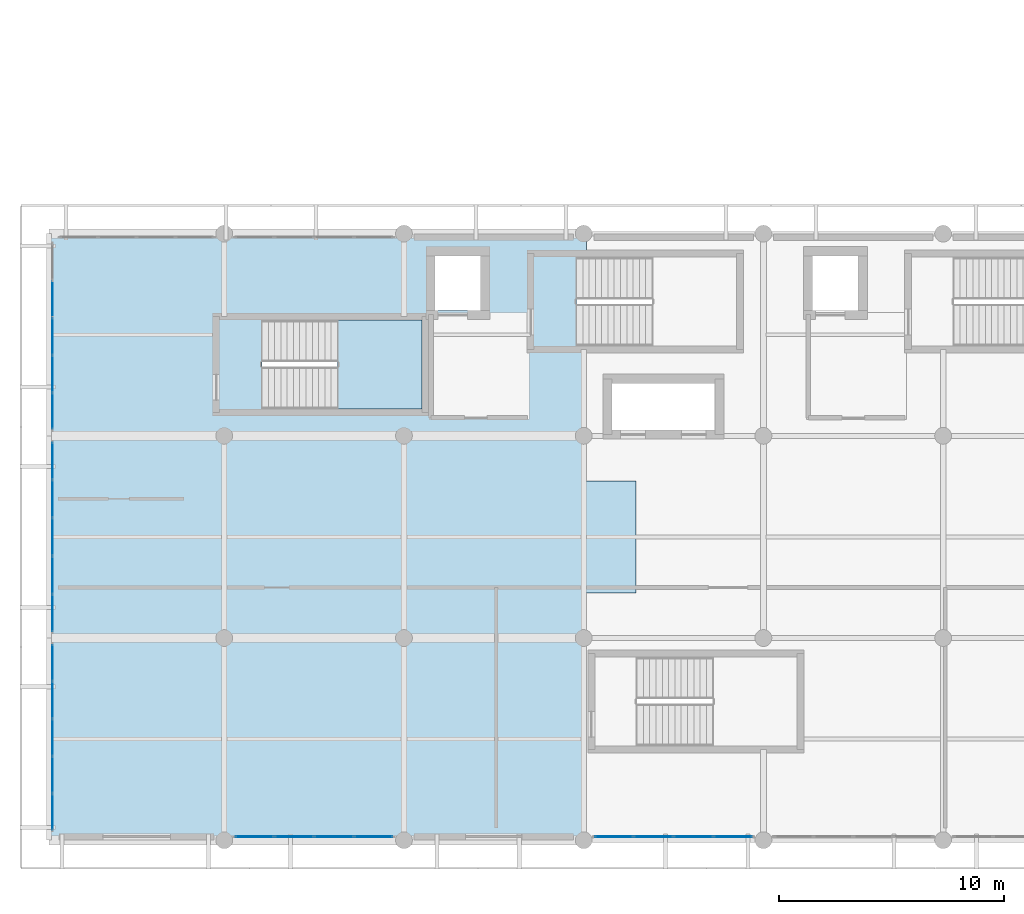
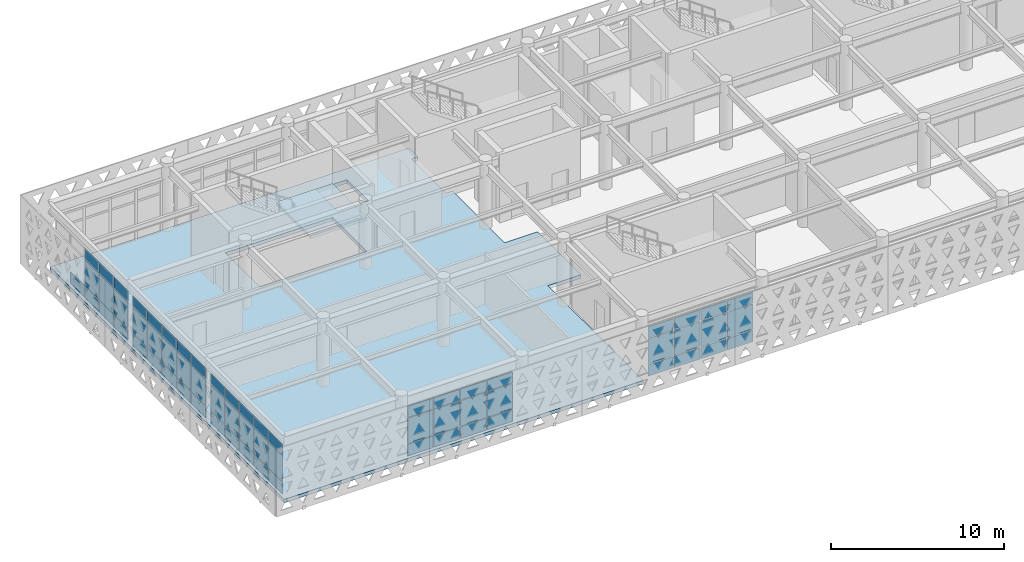
# One storey, part 16 of 33: 64 plates, 2 slabs, 6 elements without a shape of their own.
"""IFC4 building model written with IfcOpenShell, lengths in metres."""

from ifc_helpers import new_model, si_unit, direction, frame, origin, origin_2d, place, context, subcontext, project, spatial, polyline, rectangle, outline, extrude, material, layer, layer_set, type_object, element, aggregate, save


model = new_model("IFC4")

# Units and contexts
model_context = context("Model", 3, precision=1e-05, world=origin(), true_north=direction((0.0, 1.0)))
body_context = subcontext(model_context, "Body", "Model", "MODEL_VIEW")
ifc_project = project(units=[si_unit("LENGTHUNIT", "METRE"), si_unit("AREAUNIT", "SQUARE_METRE"), si_unit("VOLUMEUNIT", "CUBIC_METRE"), si_unit("PLANEANGLEUNIT", "RADIAN"), si_unit("MASSUNIT", "GRAM", prefix="KILO")], contexts=[model_context])

# Site, building, storey
site_placement = place(None, origin())
site = spatial("IfcSite", under=ifc_project, at=site_placement, CompositionType="ELEMENT")
building_placement = place(site_placement, origin())
building = spatial("IfcBuilding", under=site, at=building_placement, Name="Tlacozan Convention Centre", CompositionType="ELEMENT")
storey_placement = place(building_placement, frame((0.0, 0.0, 16.199951171875)))
storey = spatial("IfcBuildingStorey", under=building, at=storey_placement, Name="L03", CompositionType="ELEMENT", Elevation=16.199951171875)

# Curtain wall, plates
ifc_material_1 = material(Name="Dark Bronze Anodised Aluminium", Category="aluminium")
ifc_layer_1 = layer(ifc_material_1, 0.159912109375)
ifc_layer_set_1 = layer_set([ifc_layer_1], Name="Dark Bronze Anodised Aluminium")
curtain_wall_type_1 = type_object("IfcCurtainWallType", Name="Unitised Congress Gable End CW06", PredefinedType="NOTDEFINED", material=ifc_layer_set_1)
curtain_wall_1_placement = place(storey_placement, origin())
curtain_wall_1 = element("IfcCurtainWall", 1, at=curtain_wall_1_placement, inside=storey, type_object=curtain_wall_type_1, Name="L03 CW-06 Run 118", PredefinedType="NOTDEFINED")
ifc_material_2 = material(Name="Solar Control Double Low-E Argon Glazing", Category="glass")
ifc_layer_2 = layer(ifc_material_2, 0.02001953125)
ifc_layer_set_2 = layer_set([ifc_layer_2], Name="Solar Control Double Low-E Argon Glazing")
plate_type_1 = type_object("IfcPlateType", Name="Double Low-E Glazed CW Panel 20", PredefinedType="CURTAIN_PANEL", material=ifc_layer_set_2)
plate_1_placement = place(storey_placement, frame((0.360107421875, 1.259033203125, 0.06005859375), z_axis=(0.0, 0.0, 1.0), x_axis=(0.0, 1.0, 0.0)))
plate_1 = element("IfcPlate", 2, at=plate_1_placement, type_object=plate_type_1, Name="CW-06 panel 1.1", PredefinedType="CURTAIN_PANEL", context=body_context, shape_type="SweptSolid", body=[
    extrude(rectangle(XDim=1.577880859375, YDim=0.02001953125, at=origin_2d()), origin(), (0.0, 0.0, 1.0), 0.81005859375),
])
plate_2_placement = place(storey_placement, frame((0.360107421875, 1.259033203125, 0.929931640625), z_axis=(0.0, 0.0, 1.0), x_axis=(0.0, 1.0, 0.0)))
plate_2 = element("IfcPlate", 3, at=plate_2_placement, type_object=plate_type_1, Name="CW-06 panel 1.2", PredefinedType="CURTAIN_PANEL", context=body_context, shape_type="SweptSolid", body=[
    extrude(rectangle(XDim=1.577880859375, YDim=0.02001953125, at=origin_2d()), origin(), (0.0, 0.0, 1.0), 1.7900390625),
])
plate_3_placement = place(storey_placement, frame((0.360107421875, 1.259033203125, 2.7802734375), z_axis=(0.0, 0.0, 1.0), x_axis=(0.0, 1.0, 0.0)))
plate_3 = element("IfcPlate", 4, at=plate_3_placement, type_object=plate_type_1, Name="CW-06 panel 1.3", PredefinedType="CURTAIN_PANEL", context=body_context, shape_type="SweptSolid", body=[
    extrude(rectangle(XDim=1.577880859375, YDim=0.02001953125, at=origin_2d()), origin(), (0.0, 0.0, 1.0), 0.760009765625),
])
plate_4_placement = place(storey_placement, frame((0.360107421875, 2.912109375, 0.06005859375), z_axis=(0.0, 0.0, 1.0), x_axis=(0.0, 1.0, 0.0)))
plate_4 = element("IfcPlate", 5, at=plate_4_placement, type_object=plate_type_1, Name="CW-06 panel 2.1", PredefinedType="CURTAIN_PANEL", context=body_context, shape_type="SweptSolid", body=[
    extrude(rectangle(XDim=1.60791015625, YDim=0.02001953125, at=origin_2d()), origin(), (0.0, 0.0, 1.0), 0.81005859375),
])
plate_5_placement = place(storey_placement, frame((0.360107421875, 2.912109375, 0.929931640625), z_axis=(0.0, 0.0, 1.0), x_axis=(0.0, 1.0, 0.0)))
plate_5 = element("IfcPlate", 6, at=plate_5_placement, type_object=plate_type_1, Name="CW-06 panel 2.2", PredefinedType="CURTAIN_PANEL", context=body_context, shape_type="SweptSolid", body=[
    extrude(rectangle(XDim=1.60791015625, YDim=0.02001953125, at=origin_2d()), origin(), (0.0, 0.0, 1.0), 1.7900390625),
])
plate_6_placement = place(storey_placement, frame((0.360107421875, 2.912109375, 2.7802734375), z_axis=(0.0, 0.0, 1.0), x_axis=(0.0, 1.0, 0.0)))
plate_6 = element("IfcPlate", 7, at=plate_6_placement, type_object=plate_type_1, Name="CW-06 panel 2.3", PredefinedType="CURTAIN_PANEL", context=body_context, shape_type="SweptSolid", body=[
    extrude(rectangle(XDim=1.60791015625, YDim=0.02001953125, at=origin_2d()), origin(), (0.0, 0.0, 1.0), 0.760009765625),
])
plate_7_placement = place(storey_placement, frame((0.360107421875, 4.580078125, 0.06005859375), z_axis=(0.0, 0.0, 1.0), x_axis=(0.0, 1.0, 0.0)))
plate_7 = element("IfcPlate", 8, at=plate_7_placement, type_object=plate_type_1, Name="CW-06 panel 3.1", PredefinedType="CURTAIN_PANEL", context=body_context, shape_type="SweptSolid", body=[
    extrude(rectangle(XDim=1.60791015625, YDim=0.02001953125, at=origin_2d()), origin(), (0.0, 0.0, 1.0), 0.81005859375),
])
plate_8_placement = place(storey_placement, frame((0.360107421875, 4.580078125, 0.929931640625), z_axis=(0.0, 0.0, 1.0), x_axis=(0.0, 1.0, 0.0)))
plate_8 = element("IfcPlate", 9, at=plate_8_placement, type_object=plate_type_1, Name="CW-06 panel 3.2", PredefinedType="CURTAIN_PANEL", context=body_context, shape_type="SweptSolid", body=[
    extrude(rectangle(XDim=1.60791015625, YDim=0.02001953125, at=origin_2d()), origin(), (0.0, 0.0, 1.0), 1.7900390625),
])
plate_9_placement = place(storey_placement, frame((0.360107421875, 4.580078125, 2.7802734375), z_axis=(0.0, 0.0, 1.0), x_axis=(0.0, 1.0, 0.0)))
plate_9 = element("IfcPlate", 10, at=plate_9_placement, type_object=plate_type_1, Name="CW-06 panel 3.3", PredefinedType="CURTAIN_PANEL", context=body_context, shape_type="SweptSolid", body=[
    extrude(rectangle(XDim=1.60791015625, YDim=0.02001953125, at=origin_2d()), origin(), (0.0, 0.0, 1.0), 0.760009765625),
])
plate_10_placement = place(storey_placement, frame((0.360107421875, 6.248046875, 0.06005859375), z_axis=(0.0, 0.0, 1.0), x_axis=(0.0, 1.0, 0.0)))
plate_10 = element("IfcPlate", 11, at=plate_10_placement, type_object=plate_type_1, Name="CW-06 panel 4.1", PredefinedType="CURTAIN_PANEL", context=body_context, shape_type="SweptSolid", body=[
    extrude(rectangle(XDim=1.60791015625, YDim=0.02001953125, at=origin_2d()), origin(), (0.0, 0.0, 1.0), 0.81005859375),
])
plate_11_placement = place(storey_placement, frame((0.360107421875, 6.248046875, 0.929931640625), z_axis=(0.0, 0.0, 1.0), x_axis=(0.0, 1.0, 0.0)))
plate_11 = element("IfcPlate", 12, at=plate_11_placement, type_object=plate_type_1, Name="CW-06 panel 4.2", PredefinedType="CURTAIN_PANEL", context=body_context, shape_type="SweptSolid", body=[
    extrude(rectangle(XDim=1.60791015625, YDim=0.02001953125, at=origin_2d()), origin(), (0.0, 0.0, 1.0), 1.7900390625),
])
plate_12_placement = place(storey_placement, frame((0.360107421875, 6.248046875, 2.7802734375), z_axis=(0.0, 0.0, 1.0), x_axis=(0.0, 1.0, 0.0)))
plate_12 = element("IfcPlate", 13, at=plate_12_placement, type_object=plate_type_1, Name="CW-06 panel 4.3", PredefinedType="CURTAIN_PANEL", context=body_context, shape_type="SweptSolid", body=[
    extrude(rectangle(XDim=1.60791015625, YDim=0.02001953125, at=origin_2d()), origin(), (0.0, 0.0, 1.0), 0.760009765625),
])
plate_13_placement = place(storey_placement, frame((0.360107421875, 7.90087890625, 0.06005859375), z_axis=(0.0, 0.0, 1.0), x_axis=(0.0, 1.0, 0.0)))
plate_13 = element("IfcPlate", 14, at=plate_13_placement, type_object=plate_type_1, Name="CW-06 panel 5.1", PredefinedType="CURTAIN_PANEL", context=body_context, shape_type="SweptSolid", body=[
    extrude(rectangle(XDim=1.577880859375, YDim=0.02001953125, at=origin_2d()), origin(), (0.0, 0.0, 1.0), 0.81005859375),
])
plate_14_placement = place(storey_placement, frame((0.360107421875, 7.90087890625, 0.929931640625), z_axis=(0.0, 0.0, 1.0), x_axis=(0.0, 1.0, 0.0)))
plate_14 = element("IfcPlate", 15, at=plate_14_placement, type_object=plate_type_1, Name="CW-06 panel 5.2", PredefinedType="CURTAIN_PANEL", context=body_context, shape_type="SweptSolid", body=[
    extrude(rectangle(XDim=1.577880859375, YDim=0.02001953125, at=origin_2d()), origin(), (0.0, 0.0, 1.0), 1.7900390625),
])
plate_15_placement = place(storey_placement, frame((0.360107421875, 7.90087890625, 2.7802734375), z_axis=(0.0, 0.0, 1.0), x_axis=(0.0, 1.0, 0.0)))
plate_15 = element("IfcPlate", 16, at=plate_15_placement, type_object=plate_type_1, Name="CW-06 panel 5.3", PredefinedType="CURTAIN_PANEL", context=body_context, shape_type="SweptSolid", body=[
    extrude(rectangle(XDim=1.577880859375, YDim=0.02001953125, at=origin_2d()), origin(), (0.0, 0.0, 1.0), 0.760009765625),
])
aggregate(curtain_wall_1, [plate_1, plate_2, plate_3, plate_4, plate_5, plate_6, plate_7, plate_8, plate_9, plate_10, plate_11, plate_12, plate_13, plate_14, plate_15])

curtain_wall_2_placement = place(storey_placement, origin())
curtain_wall_2 = element("IfcCurtainWall", 17, at=curtain_wall_2_placement, inside=storey, type_object=curtain_wall_type_1, Name="L03 CW-06 Run 120", PredefinedType="NOTDEFINED")
plate_16_placement = place(storey_placement, frame((0.360107421875, 10.114990234375, 0.06005859375), z_axis=(0.0, 0.0, 1.0), x_axis=(0.0, 1.0, 0.0)))
plate_16 = element("IfcPlate", 18, at=plate_16_placement, type_object=plate_type_1, Name="CW-06 panel 1.1", PredefinedType="CURTAIN_PANEL", context=body_context, shape_type="SweptSolid", body=[
    extrude(rectangle(XDim=1.610107421875, YDim=0.02001953125, at=origin_2d()), origin(), (0.0, 0.0, 1.0), 0.81005859375),
])
plate_17_placement = place(storey_placement, frame((0.360107421875, 10.114990234375, 0.929931640625), z_axis=(0.0, 0.0, 1.0), x_axis=(0.0, 1.0, 0.0)))
plate_17 = element("IfcPlate", 19, at=plate_17_placement, type_object=plate_type_1, Name="CW-06 panel 1.2", PredefinedType="CURTAIN_PANEL", context=body_context, shape_type="SweptSolid", body=[
    extrude(rectangle(XDim=1.610107421875, YDim=0.02001953125, at=origin_2d()), origin(), (0.0, 0.0, 1.0), 1.7900390625),
])
plate_18_placement = place(storey_placement, frame((0.360107421875, 10.114990234375, 2.7802734375), z_axis=(0.0, 0.0, 1.0), x_axis=(0.0, 1.0, 0.0)))
plate_18 = element("IfcPlate", 20, at=plate_18_placement, type_object=plate_type_1, Name="CW-06 panel 1.3", PredefinedType="CURTAIN_PANEL", context=body_context, shape_type="SweptSolid", body=[
    extrude(rectangle(XDim=1.610107421875, YDim=0.02001953125, at=origin_2d()), origin(), (0.0, 0.0, 1.0), 0.760009765625),
])
plate_19_placement = place(storey_placement, frame((0.360107421875, 11.800048828125, 0.06005859375), z_axis=(0.0, 0.0, 1.0), x_axis=(0.0, 1.0, 0.0)))
plate_19 = element("IfcPlate", 21, at=plate_19_placement, type_object=plate_type_1, Name="CW-06 panel 2.1", PredefinedType="CURTAIN_PANEL", context=body_context, shape_type="SweptSolid", body=[
    extrude(rectangle(XDim=1.639892578125, YDim=0.02001953125, at=origin_2d()), origin(), (0.0, 0.0, 1.0), 0.81005859375),
])
plate_20_placement = place(storey_placement, frame((0.360107421875, 11.800048828125, 0.929931640625), z_axis=(0.0, 0.0, 1.0), x_axis=(0.0, 1.0, 0.0)))
plate_20 = element("IfcPlate", 22, at=plate_20_placement, type_object=plate_type_1, Name="CW-06 panel 2.2", PredefinedType="CURTAIN_PANEL", context=body_context, shape_type="SweptSolid", body=[
    extrude(rectangle(XDim=1.639892578125, YDim=0.02001953125, at=origin_2d()), origin(), (0.0, 0.0, 1.0), 1.7900390625),
])
plate_21_placement = place(storey_placement, frame((0.360107421875, 11.800048828125, 2.7802734375), z_axis=(0.0, 0.0, 1.0), x_axis=(0.0, 1.0, 0.0)))
plate_21 = element("IfcPlate", 23, at=plate_21_placement, type_object=plate_type_1, Name="CW-06 panel 2.3", PredefinedType="CURTAIN_PANEL", context=body_context, shape_type="SweptSolid", body=[
    extrude(rectangle(XDim=1.639892578125, YDim=0.02001953125, at=origin_2d()), origin(), (0.0, 0.0, 1.0), 0.760009765625),
])
plate_22_placement = place(storey_placement, frame((0.360107421875, 13.5, 0.06005859375), z_axis=(0.0, 0.0, 1.0), x_axis=(0.0, 1.0, 0.0)))
plate_22 = element("IfcPlate", 24, at=plate_22_placement, type_object=plate_type_1, Name="CW-06 panel 3.1", PredefinedType="CURTAIN_PANEL", context=body_context, shape_type="SweptSolid", body=[
    extrude(rectangle(XDim=1.639892578125, YDim=0.02001953125, at=origin_2d()), origin(), (0.0, 0.0, 1.0), 0.81005859375),
])
plate_23_placement = place(storey_placement, frame((0.360107421875, 13.5, 0.929931640625), z_axis=(0.0, 0.0, 1.0), x_axis=(0.0, 1.0, 0.0)))
plate_23 = element("IfcPlate", 25, at=plate_23_placement, type_object=plate_type_1, Name="CW-06 panel 3.2", PredefinedType="CURTAIN_PANEL", context=body_context, shape_type="SweptSolid", body=[
    extrude(rectangle(XDim=1.639892578125, YDim=0.02001953125, at=origin_2d()), origin(), (0.0, 0.0, 1.0), 1.7900390625),
])
plate_24_placement = place(storey_placement, frame((0.360107421875, 13.5, 2.7802734375), z_axis=(0.0, 0.0, 1.0), x_axis=(0.0, 1.0, 0.0)))
plate_24 = element("IfcPlate", 26, at=plate_24_placement, type_object=plate_type_1, Name="CW-06 panel 3.3", PredefinedType="CURTAIN_PANEL", context=body_context, shape_type="SweptSolid", body=[
    extrude(rectangle(XDim=1.639892578125, YDim=0.02001953125, at=origin_2d()), origin(), (0.0, 0.0, 1.0), 0.760009765625),
])
plate_25_placement = place(storey_placement, frame((0.360107421875, 15.199951171875, 0.06005859375), z_axis=(0.0, 0.0, 1.0), x_axis=(0.0, 1.0, 0.0)))
plate_25 = element("IfcPlate", 27, at=plate_25_placement, type_object=plate_type_1, Name="CW-06 panel 4.1", PredefinedType="CURTAIN_PANEL", context=body_context, shape_type="SweptSolid", body=[
    extrude(rectangle(XDim=1.639892578125, YDim=0.02001953125, at=origin_2d()), origin(), (0.0, 0.0, 1.0), 0.81005859375),
])
plate_26_placement = place(storey_placement, frame((0.360107421875, 15.199951171875, 0.929931640625), z_axis=(0.0, 0.0, 1.0), x_axis=(0.0, 1.0, 0.0)))
plate_26 = element("IfcPlate", 28, at=plate_26_placement, type_object=plate_type_1, Name="CW-06 panel 4.2", PredefinedType="CURTAIN_PANEL", context=body_context, shape_type="SweptSolid", body=[
    extrude(rectangle(XDim=1.639892578125, YDim=0.02001953125, at=origin_2d()), origin(), (0.0, 0.0, 1.0), 1.7900390625),
])
plate_27_placement = place(storey_placement, frame((0.360107421875, 15.199951171875, 2.7802734375), z_axis=(0.0, 0.0, 1.0), x_axis=(0.0, 1.0, 0.0)))
plate_27 = element("IfcPlate", 29, at=plate_27_placement, type_object=plate_type_1, Name="CW-06 panel 4.3", PredefinedType="CURTAIN_PANEL", context=body_context, shape_type="SweptSolid", body=[
    extrude(rectangle(XDim=1.639892578125, YDim=0.02001953125, at=origin_2d()), origin(), (0.0, 0.0, 1.0), 0.760009765625),
])
plate_28_placement = place(storey_placement, frame((0.360107421875, 16.885009765625, 0.06005859375), z_axis=(0.0, 0.0, 1.0), x_axis=(0.0, 1.0, 0.0)))
plate_28 = element("IfcPlate", 30, at=plate_28_placement, type_object=plate_type_1, Name="CW-06 panel 5.1", PredefinedType="CURTAIN_PANEL", context=body_context, shape_type="SweptSolid", body=[
    extrude(rectangle(XDim=1.610107421875, YDim=0.02001953125, at=origin_2d()), origin(), (0.0, 0.0, 1.0), 0.81005859375),
])
plate_29_placement = place(storey_placement, frame((0.360107421875, 16.885009765625, 0.929931640625), z_axis=(0.0, 0.0, 1.0), x_axis=(0.0, 1.0, 0.0)))
plate_29 = element("IfcPlate", 31, at=plate_29_placement, type_object=plate_type_1, Name="CW-06 panel 5.2", PredefinedType="CURTAIN_PANEL", context=body_context, shape_type="SweptSolid", body=[
    extrude(rectangle(XDim=1.610107421875, YDim=0.02001953125, at=origin_2d()), origin(), (0.0, 0.0, 1.0), 1.7900390625),
])
plate_30_placement = place(storey_placement, frame((0.360107421875, 16.885009765625, 2.7802734375), z_axis=(0.0, 0.0, 1.0), x_axis=(0.0, 1.0, 0.0)))
plate_30 = element("IfcPlate", 32, at=plate_30_placement, type_object=plate_type_1, Name="CW-06 panel 5.3", PredefinedType="CURTAIN_PANEL", context=body_context, shape_type="SweptSolid", body=[
    extrude(rectangle(XDim=1.610107421875, YDim=0.02001953125, at=origin_2d()), origin(), (0.0, 0.0, 1.0), 0.760009765625),
])
aggregate(curtain_wall_2, [plate_16, plate_17, plate_18, plate_19, plate_20, plate_21, plate_22, plate_23, plate_24, plate_25, plate_26, plate_27, plate_28, plate_29, plate_30])

curtain_wall_3_placement = place(storey_placement, origin())
curtain_wall_3 = element("IfcCurtainWall", 33, at=curtain_wall_3_placement, inside=storey, type_object=curtain_wall_type_1, Name="L03 CW-06 Run 122", PredefinedType="NOTDEFINED")
plate_31_placement = place(storey_placement, frame((0.360107421875, 19.09912109375, 0.06005859375), z_axis=(0.0, 0.0, 1.0), x_axis=(0.0, 1.0, 0.0)))
plate_31 = element("IfcPlate", 34, at=plate_31_placement, type_object=plate_type_1, Name="CW-06 panel 1.1", PredefinedType="CURTAIN_PANEL", context=body_context, shape_type="SweptSolid", body=[
    extrude(rectangle(XDim=1.577880859375, YDim=0.02001953125, at=origin_2d()), origin(), (0.0, 0.0, 1.0), 0.81005859375),
])
plate_32_placement = place(storey_placement, frame((0.360107421875, 19.09912109375, 0.929931640625), z_axis=(0.0, 0.0, 1.0), x_axis=(0.0, 1.0, 0.0)))
plate_32 = element("IfcPlate", 35, at=plate_32_placement, type_object=plate_type_1, Name="CW-06 panel 1.2", PredefinedType="CURTAIN_PANEL", context=body_context, shape_type="SweptSolid", body=[
    extrude(rectangle(XDim=1.577880859375, YDim=0.02001953125, at=origin_2d()), origin(), (0.0, 0.0, 1.0), 1.7900390625),
])
plate_33_placement = place(storey_placement, frame((0.360107421875, 19.09912109375, 2.7802734375), z_axis=(0.0, 0.0, 1.0), x_axis=(0.0, 1.0, 0.0)))
plate_33 = element("IfcPlate", 36, at=plate_33_placement, type_object=plate_type_1, Name="CW-06 panel 1.3", PredefinedType="CURTAIN_PANEL", context=body_context, shape_type="SweptSolid", body=[
    extrude(rectangle(XDim=1.577880859375, YDim=0.02001953125, at=origin_2d()), origin(), (0.0, 0.0, 1.0), 0.760009765625),
])
plate_34_placement = place(storey_placement, frame((0.360107421875, 20.751953125, 0.06005859375), z_axis=(0.0, 0.0, 1.0), x_axis=(0.0, 1.0, 0.0)))
plate_34 = element("IfcPlate", 37, at=plate_34_placement, type_object=plate_type_1, Name="CW-06 panel 2.1", PredefinedType="CURTAIN_PANEL", context=body_context, shape_type="SweptSolid", body=[
    extrude(rectangle(XDim=1.60791015625, YDim=0.02001953125, at=origin_2d()), origin(), (0.0, 0.0, 1.0), 0.81005859375),
])
plate_35_placement = place(storey_placement, frame((0.360107421875, 20.751953125, 0.929931640625), z_axis=(0.0, 0.0, 1.0), x_axis=(0.0, 1.0, 0.0)))
plate_35 = element("IfcPlate", 38, at=plate_35_placement, type_object=plate_type_1, Name="CW-06 panel 2.2", PredefinedType="CURTAIN_PANEL", context=body_context, shape_type="SweptSolid", body=[
    extrude(rectangle(XDim=1.60791015625, YDim=0.02001953125, at=origin_2d()), origin(), (0.0, 0.0, 1.0), 1.7900390625),
])
plate_36_placement = place(storey_placement, frame((0.360107421875, 20.751953125, 2.7802734375), z_axis=(0.0, 0.0, 1.0), x_axis=(0.0, 1.0, 0.0)))
plate_36 = element("IfcPlate", 39, at=plate_36_placement, type_object=plate_type_1, Name="CW-06 panel 2.3", PredefinedType="CURTAIN_PANEL", context=body_context, shape_type="SweptSolid", body=[
    extrude(rectangle(XDim=1.60791015625, YDim=0.02001953125, at=origin_2d()), origin(), (0.0, 0.0, 1.0), 0.760009765625),
])
plate_37_placement = place(storey_placement, frame((0.360107421875, 22.419921875, 0.06005859375), z_axis=(0.0, 0.0, 1.0), x_axis=(0.0, 1.0, 0.0)))
plate_37 = element("IfcPlate", 40, at=plate_37_placement, type_object=plate_type_1, Name="CW-06 panel 3.1", PredefinedType="CURTAIN_PANEL", context=body_context, shape_type="SweptSolid", body=[
    extrude(rectangle(XDim=1.60791015625, YDim=0.02001953125, at=origin_2d()), origin(), (0.0, 0.0, 1.0), 0.81005859375),
])
plate_38_placement = place(storey_placement, frame((0.360107421875, 22.419921875, 0.929931640625), z_axis=(0.0, 0.0, 1.0), x_axis=(0.0, 1.0, 0.0)))
plate_38 = element("IfcPlate", 41, at=plate_38_placement, type_object=plate_type_1, Name="CW-06 panel 3.2", PredefinedType="CURTAIN_PANEL", context=body_context, shape_type="SweptSolid", body=[
    extrude(rectangle(XDim=1.60791015625, YDim=0.02001953125, at=origin_2d()), origin(), (0.0, 0.0, 1.0), 1.7900390625),
])
plate_39_placement = place(storey_placement, frame((0.360107421875, 22.419921875, 2.7802734375), z_axis=(0.0, 0.0, 1.0), x_axis=(0.0, 1.0, 0.0)))
plate_39 = element("IfcPlate", 42, at=plate_39_placement, type_object=plate_type_1, Name="CW-06 panel 3.3", PredefinedType="CURTAIN_PANEL", context=body_context, shape_type="SweptSolid", body=[
    extrude(rectangle(XDim=1.60791015625, YDim=0.02001953125, at=origin_2d()), origin(), (0.0, 0.0, 1.0), 0.760009765625),
])
plate_40_placement = place(storey_placement, frame((0.360107421875, 24.087890625, 0.06005859375), z_axis=(0.0, 0.0, 1.0), x_axis=(0.0, 1.0, 0.0)))
plate_40 = element("IfcPlate", 43, at=plate_40_placement, type_object=plate_type_1, Name="CW-06 panel 4.1", PredefinedType="CURTAIN_PANEL", context=body_context, shape_type="SweptSolid", body=[
    extrude(rectangle(XDim=1.60791015625, YDim=0.02001953125, at=origin_2d()), origin(), (0.0, 0.0, 1.0), 0.81005859375),
])
aggregate(curtain_wall_3, [plate_31, plate_32, plate_33, plate_34, plate_35, plate_36, plate_37, plate_38, plate_39, plate_40])

# Slab
ifc_material_3 = material(Name="Concrete C40/50", Category="concrete")
ifc_layer_3 = layer(ifc_material_3, 0.25)
ifc_layer_set_3 = layer_set([ifc_layer_3], Name="Concrete C40/50")
slab_type_1 = type_object("IfcSlabType", Name="Executive Congress Floor Slab 250", PredefinedType="FLOOR", material=ifc_layer_set_3)
slab_1_placement = place(storey_placement, frame((0.0, 0.0, -0.25)))
element("IfcSlab", 44, at=slab_1_placement, inside=storey, type_object=slab_type_1, Name="L03 Executive Congress Floor Slab 250 78", PredefinedType="FLOOR", context=body_context, shape_type="SweptSolid", body=[
    extrude(outline(polyline([(0.199951171875, 0.0), (0.199951171875, 27.0), (24.1201171875, 27.0), (24.1201171875, 25.9599609375), (23.679931640625, 25.9599609375), (23.679931640625, 22.0), (24.1201171875, 22.0), (24.1201171875, 16.0), (26.320068359375, 16.0), (26.320068359375, 11.0), (24.1201171875, 11.0), (24.1201171875, 0.0), (0.199951171875, 0.0)]), holes=[polyline([(16.800048828125, 19.199951171875), (16.800048828125, 23.159912109375), (9.679931640625, 23.159912109375), (9.679931640625, 19.199951171875), (16.800048828125, 19.199951171875)]), polyline([(19.419921875, 26.02001953125), (17.3798828125, 26.02001953125), (17.3798828125, 23.580078125), (19.419921875, 23.580078125), (19.419921875, 26.02001953125)])]), origin(), (0.0, 0.0, 1.0), 0.25),
])

# Curtain wall, plates
ifc_layer_4 = layer(ifc_material_1, 0.159912109375)
ifc_layer_set_4 = layer_set([ifc_layer_4], Name="Dark Bronze Anodised Aluminium")
curtain_wall_type_2 = type_object("IfcCurtainWallType", Name="Unitised Congress L03 South CW04", PredefinedType="NOTDEFINED", material=ifc_layer_set_4)
curtain_wall_4_placement = place(storey_placement, origin())
curtain_wall_4 = element("IfcCurtainWall", 45, at=curtain_wall_4_placement, inside=storey, type_object=curtain_wall_type_2, Name="L03 CW-04 Run 102", PredefinedType="NOTDEFINED")
ifc_layer_5 = layer(ifc_material_2, 0.0400390625)
ifc_layer_set_5 = layer_set([ifc_layer_5], Name="Solar Control Double Low-E Argon Glazing")
plate_type_2 = type_object("IfcPlateType", Name="Insulated Spandrel CW Panel 40", PredefinedType="CURTAIN_PANEL", material=ifc_layer_set_5)
plate_41_placement = place(storey_placement, frame((9.353759765625, 0.159912109375, 0.06494140625), z_axis=(0.0, 0.0, 1.0), x_axis=(1.0, 0.0, 0.0)))
plate_41 = element("IfcPlate", 46, at=plate_41_placement, type_object=plate_type_2, Name="CW-04 panel 1.1", PredefinedType="CURTAIN_PANEL", context=body_context, shape_type="SweptSolid", body=[
    extrude(rectangle(XDim=1.677490234375, YDim=0.0400390625, at=origin_2d()), origin(), (0.0, 0.0, 1.0), 0.802490234375),
])
plate_42_placement = place(storey_placement, frame((9.353759765625, 0.159912109375, 0.9326171875), z_axis=(0.0, 0.0, 1.0), x_axis=(1.0, 0.0, 0.0)))
plate_42 = element("IfcPlate", 47, at=plate_42_placement, type_object=plate_type_2, Name="CW-04 panel 1.2", PredefinedType="CURTAIN_PANEL", context=body_context, shape_type="SweptSolid", body=[
    extrude(rectangle(XDim=1.677490234375, YDim=0.0400390625, at=origin_2d()), origin(), (0.0, 0.0, 1.0), 1.784912109375),
])
plate_43_placement = place(storey_placement, frame((9.353759765625, 0.159912109375, 2.782470703125), z_axis=(0.0, 0.0, 1.0), x_axis=(1.0, 0.0, 0.0)))
plate_43 = element("IfcPlate", 48, at=plate_43_placement, type_object=plate_type_2, Name="CW-04 panel 1.3", PredefinedType="CURTAIN_PANEL", context=body_context, shape_type="SweptSolid", body=[
    extrude(rectangle(XDim=1.677490234375, YDim=0.0400390625, at=origin_2d()), origin(), (0.0, 0.0, 1.0), 0.75244140625),
])
plate_44_placement = place(storey_placement, frame((11.112548828125, 0.159912109375, 0.06494140625), z_axis=(0.0, 0.0, 1.0), x_axis=(1.0, 0.0, 0.0)))
plate_44 = element("IfcPlate", 49, at=plate_44_placement, type_object=plate_type_2, Name="CW-04 panel 2.1", PredefinedType="CURTAIN_PANEL", context=body_context, shape_type="SweptSolid", body=[
    extrude(rectangle(XDim=1.7099609375, YDim=0.0400390625, at=origin_2d()), origin(), (0.0, 0.0, 1.0), 0.802490234375),
])
plate_45_placement = place(storey_placement, frame((11.112548828125, 0.159912109375, 0.9326171875), z_axis=(0.0, 0.0, 1.0), x_axis=(1.0, 0.0, 0.0)))
plate_45 = element("IfcPlate", 50, at=plate_45_placement, type_object=plate_type_2, Name="CW-04 panel 2.2", PredefinedType="CURTAIN_PANEL", context=body_context, shape_type="SweptSolid", body=[
    extrude(rectangle(XDim=1.7099609375, YDim=0.0400390625, at=origin_2d()), origin(), (0.0, 0.0, 1.0), 1.784912109375),
])
plate_46_placement = place(storey_placement, frame((11.112548828125, 0.159912109375, 2.782470703125), z_axis=(0.0, 0.0, 1.0), x_axis=(1.0, 0.0, 0.0)))
plate_46 = element("IfcPlate", 51, at=plate_46_placement, type_object=plate_type_2, Name="CW-04 panel 2.3", PredefinedType="CURTAIN_PANEL", context=body_context, shape_type="SweptSolid", body=[
    extrude(rectangle(XDim=1.7099609375, YDim=0.0400390625, at=origin_2d()), origin(), (0.0, 0.0, 1.0), 0.75244140625),
])
plate_47_placement = place(storey_placement, frame((12.887451171875, 0.159912109375, 0.06494140625), z_axis=(0.0, 0.0, 1.0), x_axis=(1.0, 0.0, 0.0)))
plate_47 = element("IfcPlate", 52, at=plate_47_placement, type_object=plate_type_2, Name="CW-04 panel 3.1", PredefinedType="CURTAIN_PANEL", context=body_context, shape_type="SweptSolid", body=[
    extrude(rectangle(XDim=1.7099609375, YDim=0.0400390625, at=origin_2d()), origin(), (0.0, 0.0, 1.0), 0.802490234375),
])
plate_48_placement = place(storey_placement, frame((12.887451171875, 0.159912109375, 0.9326171875), z_axis=(0.0, 0.0, 1.0), x_axis=(1.0, 0.0, 0.0)))
plate_48 = element("IfcPlate", 53, at=plate_48_placement, type_object=plate_type_2, Name="CW-04 panel 3.2", PredefinedType="CURTAIN_PANEL", context=body_context, shape_type="SweptSolid", body=[
    extrude(rectangle(XDim=1.7099609375, YDim=0.0400390625, at=origin_2d()), origin(), (0.0, 0.0, 1.0), 1.784912109375),
])
plate_49_placement = place(storey_placement, frame((12.887451171875, 0.159912109375, 2.782470703125), z_axis=(0.0, 0.0, 1.0), x_axis=(1.0, 0.0, 0.0)))
plate_49 = element("IfcPlate", 54, at=plate_49_placement, type_object=plate_type_2, Name="CW-04 panel 3.3", PredefinedType="CURTAIN_PANEL", context=body_context, shape_type="SweptSolid", body=[
    extrude(rectangle(XDim=1.7099609375, YDim=0.0400390625, at=origin_2d()), origin(), (0.0, 0.0, 1.0), 0.75244140625),
])
plate_50_placement = place(storey_placement, frame((14.646240234375, 0.159912109375, 0.06494140625), z_axis=(0.0, 0.0, 1.0), x_axis=(1.0, 0.0, 0.0)))
plate_50 = element("IfcPlate", 55, at=plate_50_placement, type_object=plate_type_2, Name="CW-04 panel 4.1", PredefinedType="CURTAIN_PANEL", context=body_context, shape_type="SweptSolid", body=[
    extrude(rectangle(XDim=1.677490234375, YDim=0.0400390625, at=origin_2d()), origin(), (0.0, 0.0, 1.0), 0.802490234375),
])
plate_51_placement = place(storey_placement, frame((14.646240234375, 0.159912109375, 0.9326171875), z_axis=(0.0, 0.0, 1.0), x_axis=(1.0, 0.0, 0.0)))
plate_51 = element("IfcPlate", 56, at=plate_51_placement, type_object=plate_type_2, Name="CW-04 panel 4.2", PredefinedType="CURTAIN_PANEL", context=body_context, shape_type="SweptSolid", body=[
    extrude(rectangle(XDim=1.677490234375, YDim=0.0400390625, at=origin_2d()), origin(), (0.0, 0.0, 1.0), 1.784912109375),
])
plate_52_placement = place(storey_placement, frame((14.646240234375, 0.159912109375, 2.782470703125), z_axis=(0.0, 0.0, 1.0), x_axis=(1.0, 0.0, 0.0)))
plate_52 = element("IfcPlate", 57, at=plate_52_placement, type_object=plate_type_2, Name="CW-04 panel 4.3", PredefinedType="CURTAIN_PANEL", context=body_context, shape_type="SweptSolid", body=[
    extrude(rectangle(XDim=1.677490234375, YDim=0.0400390625, at=origin_2d()), origin(), (0.0, 0.0, 1.0), 0.75244140625),
])
aggregate(curtain_wall_4, [plate_41, plate_42, plate_43, plate_44, plate_45, plate_46, plate_47, plate_48, plate_49, plate_50, plate_51, plate_52])

curtain_wall_5_placement = place(storey_placement, origin())
curtain_wall_5 = element("IfcCurtainWall", 58, at=curtain_wall_5_placement, inside=storey, type_object=curtain_wall_type_2, Name="L03 CW-04 Run 103", PredefinedType="NOTDEFINED")
plate_53_placement = place(storey_placement, frame((25.353759765625, 0.159912109375, 0.06494140625), z_axis=(0.0, 0.0, 1.0), x_axis=(1.0, 0.0, 0.0)))
plate_53 = element("IfcPlate", 59, at=plate_53_placement, type_object=plate_type_2, Name="CW-04 panel 1.1", PredefinedType="CURTAIN_PANEL", context=body_context, shape_type="SweptSolid", body=[
    extrude(rectangle(XDim=1.677490234375, YDim=0.0400390625, at=origin_2d()), origin(), (0.0, 0.0, 1.0), 0.802490234375),
])
plate_54_placement = place(storey_placement, frame((25.353759765625, 0.159912109375, 0.9326171875), z_axis=(0.0, 0.0, 1.0), x_axis=(1.0, 0.0, 0.0)))
plate_54 = element("IfcPlate", 60, at=plate_54_placement, type_object=plate_type_2, Name="CW-04 panel 1.2", PredefinedType="CURTAIN_PANEL", context=body_context, shape_type="SweptSolid", body=[
    extrude(rectangle(XDim=1.677490234375, YDim=0.0400390625, at=origin_2d()), origin(), (0.0, 0.0, 1.0), 1.784912109375),
])
plate_55_placement = place(storey_placement, frame((25.353759765625, 0.159912109375, 2.782470703125), z_axis=(0.0, 0.0, 1.0), x_axis=(1.0, 0.0, 0.0)))
plate_55 = element("IfcPlate", 61, at=plate_55_placement, type_object=plate_type_2, Name="CW-04 panel 1.3", PredefinedType="CURTAIN_PANEL", context=body_context, shape_type="SweptSolid", body=[
    extrude(rectangle(XDim=1.677490234375, YDim=0.0400390625, at=origin_2d()), origin(), (0.0, 0.0, 1.0), 0.75244140625),
])
plate_56_placement = place(storey_placement, frame((27.112548828125, 0.159912109375, 0.06494140625), z_axis=(0.0, 0.0, 1.0), x_axis=(1.0, 0.0, 0.0)))
plate_56 = element("IfcPlate", 62, at=plate_56_placement, type_object=plate_type_2, Name="CW-04 panel 2.1", PredefinedType="CURTAIN_PANEL", context=body_context, shape_type="SweptSolid", body=[
    extrude(rectangle(XDim=1.7099609375, YDim=0.0400390625, at=origin_2d()), origin(), (0.0, 0.0, 1.0), 0.802490234375),
])
plate_57_placement = place(storey_placement, frame((27.112548828125, 0.159912109375, 0.9326171875), z_axis=(0.0, 0.0, 1.0), x_axis=(1.0, 0.0, 0.0)))
plate_57 = element("IfcPlate", 63, at=plate_57_placement, type_object=plate_type_2, Name="CW-04 panel 2.2", PredefinedType="CURTAIN_PANEL", context=body_context, shape_type="SweptSolid", body=[
    extrude(rectangle(XDim=1.7099609375, YDim=0.0400390625, at=origin_2d()), origin(), (0.0, 0.0, 1.0), 1.784912109375),
])
plate_58_placement = place(storey_placement, frame((27.112548828125, 0.159912109375, 2.782470703125), z_axis=(0.0, 0.0, 1.0), x_axis=(1.0, 0.0, 0.0)))
plate_58 = element("IfcPlate", 64, at=plate_58_placement, type_object=plate_type_2, Name="CW-04 panel 2.3", PredefinedType="CURTAIN_PANEL", context=body_context, shape_type="SweptSolid", body=[
    extrude(rectangle(XDim=1.7099609375, YDim=0.0400390625, at=origin_2d()), origin(), (0.0, 0.0, 1.0), 0.75244140625),
])
plate_59_placement = place(storey_placement, frame((28.887451171875, 0.159912109375, 0.06494140625), z_axis=(0.0, 0.0, 1.0), x_axis=(1.0, 0.0, 0.0)))
plate_59 = element("IfcPlate", 65, at=plate_59_placement, type_object=plate_type_2, Name="CW-04 panel 3.1", PredefinedType="CURTAIN_PANEL", context=body_context, shape_type="SweptSolid", body=[
    extrude(rectangle(XDim=1.7099609375, YDim=0.0400390625, at=origin_2d()), origin(), (0.0, 0.0, 1.0), 0.802490234375),
])
plate_60_placement = place(storey_placement, frame((28.887451171875, 0.159912109375, 0.9326171875), z_axis=(0.0, 0.0, 1.0), x_axis=(1.0, 0.0, 0.0)))
plate_60 = element("IfcPlate", 66, at=plate_60_placement, type_object=plate_type_2, Name="CW-04 panel 3.2", PredefinedType="CURTAIN_PANEL", context=body_context, shape_type="SweptSolid", body=[
    extrude(rectangle(XDim=1.7099609375, YDim=0.0400390625, at=origin_2d()), origin(), (0.0, 0.0, 1.0), 1.784912109375),
])
plate_61_placement = place(storey_placement, frame((28.887451171875, 0.159912109375, 2.782470703125), z_axis=(0.0, 0.0, 1.0), x_axis=(1.0, 0.0, 0.0)))
plate_61 = element("IfcPlate", 67, at=plate_61_placement, type_object=plate_type_2, Name="CW-04 panel 3.3", PredefinedType="CURTAIN_PANEL", context=body_context, shape_type="SweptSolid", body=[
    extrude(rectangle(XDim=1.7099609375, YDim=0.0400390625, at=origin_2d()), origin(), (0.0, 0.0, 1.0), 0.75244140625),
])
plate_62_placement = place(storey_placement, frame((30.646240234375, 0.159912109375, 0.06494140625), z_axis=(0.0, 0.0, 1.0), x_axis=(1.0, 0.0, 0.0)))
plate_62 = element("IfcPlate", 68, at=plate_62_placement, type_object=plate_type_2, Name="CW-04 panel 4.1", PredefinedType="CURTAIN_PANEL", context=body_context, shape_type="SweptSolid", body=[
    extrude(rectangle(XDim=1.677490234375, YDim=0.0400390625, at=origin_2d()), origin(), (0.0, 0.0, 1.0), 0.802490234375),
])
plate_63_placement = place(storey_placement, frame((30.646240234375, 0.159912109375, 0.9326171875), z_axis=(0.0, 0.0, 1.0), x_axis=(1.0, 0.0, 0.0)))
plate_63 = element("IfcPlate", 69, at=plate_63_placement, type_object=plate_type_2, Name="CW-04 panel 4.2", PredefinedType="CURTAIN_PANEL", context=body_context, shape_type="SweptSolid", body=[
    extrude(rectangle(XDim=1.677490234375, YDim=0.0400390625, at=origin_2d()), origin(), (0.0, 0.0, 1.0), 1.784912109375),
])
plate_64_placement = place(storey_placement, frame((30.646240234375, 0.159912109375, 2.782470703125), z_axis=(0.0, 0.0, 1.0), x_axis=(1.0, 0.0, 0.0)))
plate_64 = element("IfcPlate", 70, at=plate_64_placement, type_object=plate_type_2, Name="CW-04 panel 4.3", PredefinedType="CURTAIN_PANEL", context=body_context, shape_type="SweptSolid", body=[
    extrude(rectangle(XDim=1.677490234375, YDim=0.0400390625, at=origin_2d()), origin(), (0.0, 0.0, 1.0), 0.75244140625),
])
aggregate(curtain_wall_5, [plate_53, plate_54, plate_55, plate_56, plate_57, plate_58, plate_59, plate_60, plate_61, plate_62, plate_63, plate_64])

# Stair, slab
stair_type = type_object("IfcStairType", Name="Protected Dogleg Stair W188 H48", PredefinedType="HALF_TURN_STAIR", material=ifc_material_3)
stair_placement = place(storey_placement, origin())
stair = element("IfcStair", 71, at=stair_placement, inside=storey, type_object=stair_type, Name="L03 West Belvedere Congress Stair", PredefinedType="HALF_TURN_STAIR")
ifc_layer_6 = layer(ifc_material_3, 0.199951171875)
ifc_layer_set_6 = layer_set([ifc_layer_6], Name="Concrete C40/50")
slab_type_2 = type_object("IfcSlabType", Name="Stair Half Landing Slab 200", PredefinedType="LANDING", material=ifc_layer_set_6)
slab_2_placement = place(storey_placement, frame((0.0, 0.0, 2.199951171875)))
slab_2 = element("IfcSlab", 72, at=slab_2_placement, type_object=slab_type_2, Name="ST-13 landing 1", PredefinedType="LANDING", context=body_context, shape_type="SweptSolid", body=[
    extrude(outline(polyline([(13.0400390625, 19.199951171875), (16.800048828125, 19.199951171875), (16.800048828125, 23.159912109375), (13.0400390625, 23.159912109375), (13.0400390625, 19.199951171875)])), origin(), (0.0, 0.0, 1.0), 0.2001953125),
])
aggregate(stair, [slab_2])

save(model, "model.ifc")
